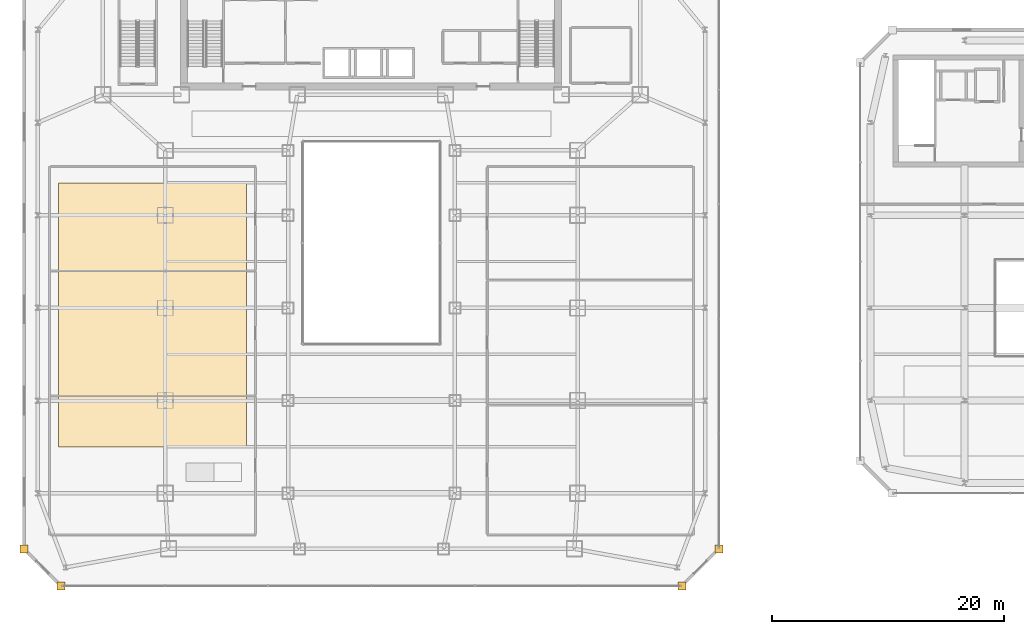
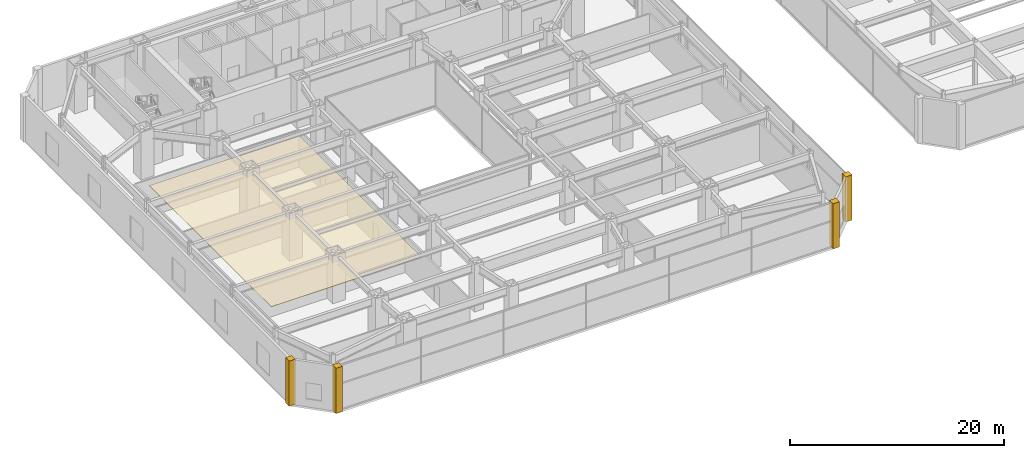
# One storey, part 48 of 53: 5 coverings.
"""IFC4 building model written with IfcOpenShell, lengths in metres."""

from ifc_helpers import new_model, si_unit, direction, frame, origin, place, context, subcontext, project, spatial, polyline, outline, extrude, material, layer, layer_set, type_object, element, save


model = new_model("IFC4")

# Units and contexts
model_context = context("Model", 3, precision=1e-05, world=origin(), true_north=direction((0.0, 1.0)))
body_context = subcontext(model_context, "Body", "Model", "MODEL_VIEW")
ifc_project = project(units=[si_unit("LENGTHUNIT", "METRE"), si_unit("AREAUNIT", "SQUARE_METRE"), si_unit("VOLUMEUNIT", "CUBIC_METRE"), si_unit("PLANEANGLEUNIT", "RADIAN"), si_unit("MASSUNIT", "GRAM", prefix="KILO")], contexts=[model_context])

# Site, building, storey
site_placement = place(None, origin())
site = spatial("IfcSite", under=ifc_project, at=site_placement, CompositionType="ELEMENT")
building_placement = place(site_placement, origin())
building = spatial("IfcBuilding", under=site, at=building_placement, Name="Saevonmaru Cultural Tower", CompositionType="ELEMENT")
storey_placement = place(building_placement, frame((0.0, 0.0, 22.199951171875)))
storey = spatial("IfcBuildingStorey", under=building, at=storey_placement, Name="L04", CompositionType="ELEMENT", Elevation=22.199951171875)

# Coverings
ifc_material_1 = material(Name="Mineral Fibre Acoustic Ceiling", Category="gypsum")
ifc_layer_1 = layer(ifc_material_1, 0.044921875, Name="Mineral Fibre Acoustic Ceiling")
ifc_layer_set_1 = layer_set([ifc_layer_1], Name="Mineral Fibre Acoustic Ceiling")
covering_type_1 = type_object("IfcCoveringType", Name="CV-CEIL-ACOUSTIC", PredefinedType="CEILING", material=ifc_layer_set_1)
covering_1_placement = place(storey_placement, frame((0.0, 0.0, 4.60009765625)))
element("IfcCovering", 1, at=covering_1_placement, inside=storey, type_object=covering_type_1, Name="L04 Cultural Wing Acoustic Suspended Ceiling", PredefinedType="CEILING", context=body_context, shape_type="SweptSolid", body=[
    extrude(outline(polyline([(3.0, 12.0), (19.199951171875, 12.0), (19.199951171875, 34.800048828125), (3.0, 34.800048828125), (3.0, 12.0)])), origin(), (0.0, 0.0, 1.0), 0.050048828125),
])
ifc_material_2 = material(Name="Satin Bronze Anodised Aluminium", Category="aluminium")
ifc_layer_2 = layer(ifc_material_2, 0.679931640625, Name="Satin Bronze Anodised Aluminium")
ifc_layer_set_2 = layer_set([ifc_layer_2], Name="Satin Bronze Anodised Aluminium")
covering_type_2 = type_object("IfcCoveringType", Name="CV-CORNER-CLAD", PredefinedType="CLADDING", material=ifc_layer_set_2)
covering_2_placement = place(storey_placement, origin())
element("IfcCovering", 2, at=covering_2_placement, inside=storey, type_object=covering_type_2, Name="L04 Podium Bronze Corner Cladding Pier 1", PredefinedType="CLADDING", context=body_context, shape_type="SweptSolid", body=[
    extrude(outline(polyline([(-0.340087890625, 2.860107421875), (0.340087890625, 2.860107421875), (0.340087890625, 3.5400390625), (-0.340087890625, 3.5400390625), (-0.340087890625, 2.860107421875)])), origin(), (0.0, 0.0, 1.0), 5.150146484375),
])
covering_3_placement = place(storey_placement, origin())
element("IfcCovering", 3, at=covering_3_placement, inside=storey, type_object=covering_type_2, Name="L04 Podium Bronze Corner Cladding Pier 2", PredefinedType="CLADDING", context=body_context, shape_type="SweptSolid", body=[
    extrude(outline(polyline([(2.860107421875, -0.340087890625), (3.5400390625, -0.340087890625), (3.5400390625, 0.340087890625), (2.860107421875, 0.340087890625), (2.860107421875, -0.340087890625)])), origin(), (0.0, 0.0, 1.0), 5.150146484375),
])
covering_4_placement = place(storey_placement, origin())
element("IfcCovering", 4, at=covering_4_placement, inside=storey, type_object=covering_type_2, Name="L04 Podium Bronze Corner Cladding Pier 3", PredefinedType="CLADDING", context=body_context, shape_type="SweptSolid", body=[
    extrude(outline(polyline([(56.4599609375, -0.340087890625), (57.139892578125, -0.340087890625), (57.139892578125, 0.340087890625), (56.4599609375, 0.340087890625), (56.4599609375, -0.340087890625)])), origin(), (0.0, 0.0, 1.0), 5.150146484375),
])
covering_5_placement = place(storey_placement, origin())
element("IfcCovering", 5, at=covering_5_placement, inside=storey, type_object=covering_type_2, Name="L04 Podium Bronze Corner Cladding Pier 4", PredefinedType="CLADDING", context=body_context, shape_type="SweptSolid", body=[
    extrude(outline(polyline([(59.659912109375, 2.860107421875), (60.340087890625, 2.860107421875), (60.340087890625, 3.5400390625), (59.659912109375, 3.5400390625), (59.659912109375, 2.860107421875)])), origin(), (0.0, 0.0, 1.0), 5.150146484375),
])

save(model, "model.ifc")
